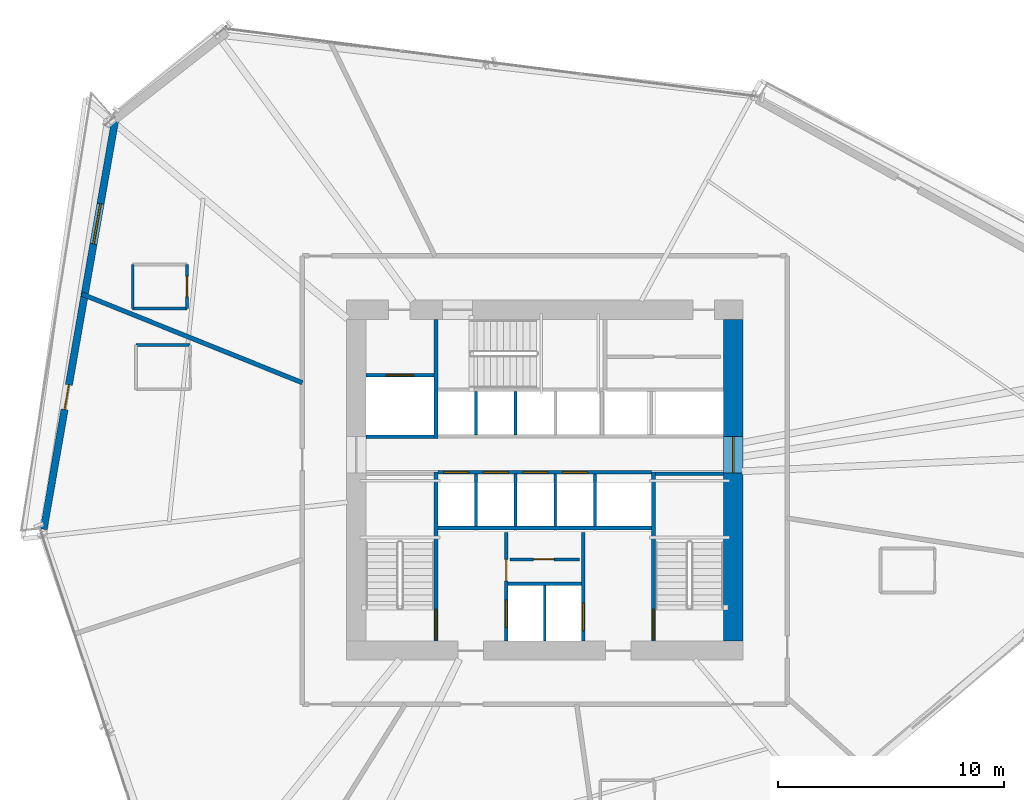
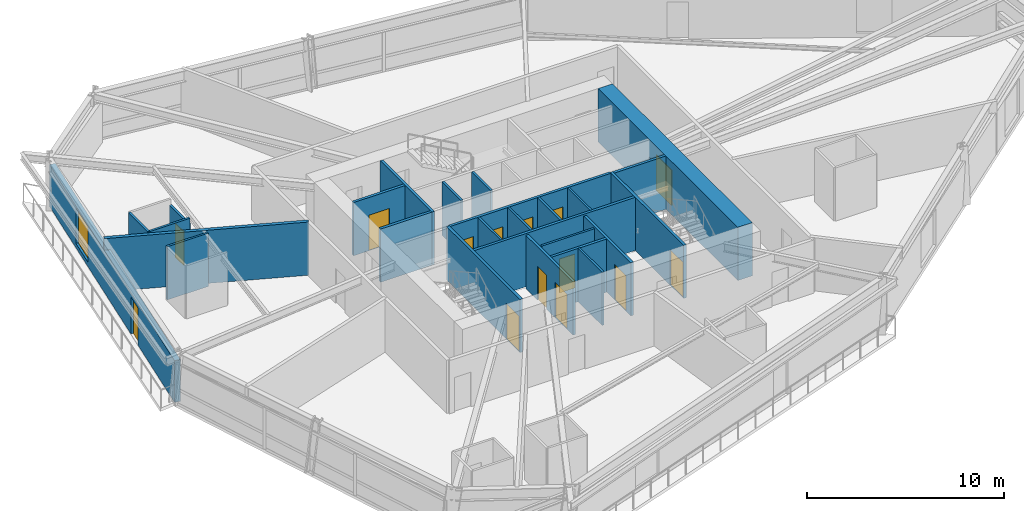
# One storey, part 16 of 22: 26 walls, 14 doors, 1 window, 15 openings.
"""IFC4 building model written with IfcOpenShell, lengths in metres."""

from ifc_helpers import new_model, si_unit, direction, frame, frame_2d, origin, place, context, subcontext, project, spatial, rectangle, extrude, source, transform, mapped, material, layer, layer_set, type_object, type_shapes, element, fill, save


model = new_model("IFC4")

# Units and contexts
model_context = context("Model", 3, precision=1e-05, world=origin(), true_north=direction((0.0, 1.0)))
body_context = subcontext(model_context, "Body", "Model", "MODEL_VIEW")
ifc_project = project(units=[si_unit("LENGTHUNIT", "METRE"), si_unit("AREAUNIT", "SQUARE_METRE"), si_unit("VOLUMEUNIT", "CUBIC_METRE"), si_unit("PLANEANGLEUNIT", "RADIAN"), si_unit("MASSUNIT", "GRAM", prefix="KILO")], contexts=[model_context])

# Site, building, storey
site_placement = place(None, origin())
site = spatial("IfcSite", under=ifc_project, at=site_placement, CompositionType="ELEMENT")
building_placement = place(site_placement, origin())
building = spatial("IfcBuilding", under=site, at=building_placement, Name="Olszyna Solenne Hotel", CompositionType="ELEMENT")
storey_placement = place(building_placement, frame((0.0, 0.0, 57.699951171875)))
storey = spatial("IfcBuildingStorey", under=building, at=storey_placement, Name="L14", CompositionType="ELEMENT", Elevation=57.699951171875)

# Wall, opening, door
ifc_material_1 = material(Name="Concrete C60/75", Category="concrete")
ifc_layer_1 = layer(ifc_material_1, 0.85009765625, Name="Concrete C60/75")
ifc_layer_set_1 = layer_set([ifc_layer_1], Name="Concrete C60/75")
wall_type_1 = type_object("IfcWallType", Name="WL-CR850", PredefinedType="SHEAR", material=ifc_layer_set_1)
wall_1_placement = place(storey_placement, frame((46.324951171875, 33.699951171875, 0.0), z_axis=(0.0, 0.0, 1.0), x_axis=(0.0, -1.0, 0.0)))
wall_1 = element("IfcWall", 1, at=wall_1_placement, inside=storey, type_object=wall_type_1, Name="Core shear wall WL-CR850 CRW-L14-E", PredefinedType="SHEAR", context=body_context, shape_type="SweptSolid", body=[
    extrude(rectangle(XDim=14.199951171875, YDim=0.85009765625, at=frame_2d((7.10009765625, 0.0))), origin(), (0.0, 0.0, 1.0), 3.300048828125),
])
opening_1_placement = place(wall_1_placement, frame((5.179931640625, 0.0, 0.0)))
opening_1 = element("IfcOpeningElement", 2, at=opening_1_placement, cuts=wall_1, Name="Opening LHD-L14-E", PredefinedType="OPENING", context=body_context, shape_type="SweptSolid", body=[
    extrude(rectangle(XDim=1.60009765625, YDim=2.199951171875, at=frame_2d((0.800048828125, 1.10009765625))), frame((0.0, 0.43505859375, 0.0), z_axis=(0.0, -1.0, 0.0), x_axis=(1.0, 0.0, 0.0)), (0.0, 0.0, 1.0), 0.8701171875),
])
ifc_material_2 = material(Name="Timber hardwood", Category="wood")
door_type_1 = type_object("IfcDoorType", Name="DR-CR1", OperationType="DOUBLE_DOOR_SINGLE_SWING", PredefinedType="DOOR", material=ifc_material_2)
shared_shape_1 = source(origin(), body_context, "Body", "SweptSolid", [
    extrude(rectangle(XDim=1.60009765625, YDim=2.199951171875, at=frame_2d((0.800048828125, 1.10009765625))), frame((0.0, 0.02490234375, 0.0), z_axis=(0.0, -1.0, 0.0), x_axis=(1.0, 0.0, 0.0)), (0.0, 0.0, 1.0), 0.050048828125),
])
type_shapes(door_type_1, [shared_shape_1])
door_1_placement = place(opening_1_placement, origin())
door_1 = element("IfcDoor", 3, at=door_1_placement, inside=storey, type_object=door_type_1, Name="Passenger lift lobby East fire door LHD-L14-E", OperationType="DOUBLE_DOOR_SINGLE_SWING", OverallHeight=2.199951171875, OverallWidth=1.60009765625, PredefinedType="DOOR", context=body_context, shape_type="MappedRepresentation", body=[
    mapped(shared_shape_1, transform((0.0, 0.0, 0.0), x_axis=(1.0, 0.0, 0.0), y_axis=(0.0, 1.0, 0.0), z_axis=(0.0, 0.0, 1.0), scale=1.0)),
])
fill(opening_1, door_1)

# Wall, openings, door, window
ifc_material_3 = material(Name="Precast concrete C45/55", Category="concrete")
ifc_layer_2 = layer(ifc_material_3, 0.320068359375, Name="Precast concrete C45/55")
ifc_layer_set_2 = layer_set([ifc_layer_2], Name="Precast concrete C45/55")
wall_type_2 = type_object("IfcWallType", Name="WL-EX320", PredefinedType="SOLIDWALL", material=ifc_layer_set_2)
wall_2_placement = place(storey_placement, frame((15.875, 24.432373046875, 0.0), z_axis=(0.0, 0.0, 1.0), x_axis=(0.172204905353, 0.985061150677, 0.0)))
wall_2 = element("IfcWall", 4, at=wall_2_placement, inside=storey, type_object=wall_type_2, Name="Exterior terracotta-precast frame wall WL-EX320 EW-L14-04", PredefinedType="SOLIDWALL", context=body_context, shape_type="SweptSolid", body=[
    extrude(rectangle(XDim=18.5, YDim=0.320068359375, at=frame_2d((9.25, 0.0))), origin(), (0.0, 0.0, 1.0), 2.592041015625),
])
opening_2_placement = place(wall_2_placement, frame((5.3701171875, 0.0, 0.0)))
opening_2 = element("IfcOpeningElement", 5, at=opening_2_placement, cuts=wall_2, Name="Opening LDG-L14-2", PredefinedType="OPENING", context=body_context, shape_type="SweptSolid", body=[
    extrude(rectangle(XDim=1.10009765625, YDim=2.300048828125, at=frame_2d((0.550048828125, 1.14990234375))), frame((0.0, 0.169921875, 0.0), z_axis=(0.0, -1.0, 0.0), x_axis=(1.0, 0.0, 0.0)), (0.0, 0.0, 1.0), 0.340087890625),
])
opening_3_placement = place(wall_2_placement, frame((12.7900390625, 0.0, 0.27197265625)))
opening_3 = element("IfcOpeningElement", 6, at=opening_3_placement, cuts=wall_2, Name="Opening WN-L14-063", PredefinedType="OPENING", context=body_context, shape_type="SweptSolid", body=[
    extrude(rectangle(XDim=1.800048828125, YDim=2.199951171875, at=frame_2d((0.89990234375, 1.10009765625))), frame((0.0, 0.169921875, 0.0), z_axis=(0.0, -1.0, 0.0), x_axis=(1.0, 0.0, 0.0)), (0.0, 0.0, 1.0), 0.340087890625),
])
ifc_material_4 = material(Name="Anodised bronze aluminium", Category="aluminium")
door_type_2 = type_object("IfcDoorType", Name="DR-LG1", OperationType="NOTDEFINED", PredefinedType="DOOR", material=ifc_material_4)
shared_shape_2 = source(origin(), body_context, "Body", "SweptSolid", [
    extrude(rectangle(XDim=1.10009765625, YDim=2.300048828125, at=frame_2d((0.550048828125, 1.14990234375))), frame((0.0, 0.02490234375, 0.0), z_axis=(0.0, -1.0, 0.0), x_axis=(1.0, 0.0, 0.0)), (0.0, 0.0, 1.0), 0.050048828125),
])
type_shapes(door_type_2, [shared_shape_2])
door_2_placement = place(opening_2_placement, origin())
door_2 = element("IfcDoor", 7, at=door_2_placement, inside=storey, type_object=door_type_2, Name="Exterior loggia balcony door DR-LG1 LDG-L14-2", OperationType="SINGLE_SWING_LEFT", OverallHeight=2.300048828125, OverallWidth=1.10009765625, PredefinedType="DOOR", context=body_context, shape_type="MappedRepresentation", body=[
    mapped(shared_shape_2, transform((0.0, 0.0, 0.0), x_axis=(1.0, 0.0, 0.0), y_axis=(0.0, 1.0, 0.0), z_axis=(0.0, 0.0, 1.0), scale=1.0)),
])
fill(opening_2, door_2)
ifc_material_5 = material(Name="Low-E triple glazing", Category="glass")
window_type = type_object("IfcWindowType", Name="WN-HT1", PartitioningType="SINGLE_PANEL", PredefinedType="WINDOW", material=ifc_material_5)
shared_shape_3 = source(origin(), body_context, "Body", "SweptSolid", [
    extrude(rectangle(XDim=1.800048828125, YDim=2.199951171875, at=frame_2d((0.89990234375, 1.10009765625))), frame((0.0, 0.030029296875, 0.0), z_axis=(0.0, -1.0, 0.0), x_axis=(1.0, 0.0, 0.0)), (0.0, 0.0, 1.0), 0.06005859375),
])
type_shapes(window_type, [shared_shape_3])
window_placement = place(opening_3_placement, origin())
window = element("IfcWindow", 8, at=window_placement, inside=storey, type_object=window_type, Name="Loggia room window WN-HT1 WN-L14-063", OverallHeight=2.199951171875, OverallWidth=1.800048828125, PartitioningType="SINGLE_PANEL", PredefinedType="WINDOW", context=body_context, shape_type="MappedRepresentation", body=[
    mapped(shared_shape_3, transform((0.0, 0.0, 0.0), x_axis=(1.0, 0.0, 0.0), y_axis=(0.0, 1.0, 0.0), z_axis=(0.0, 0.0, 1.0), scale=1.0)),
])
fill(opening_3, window)

# Wall
ifc_material_6 = material(Name="Acoustic gypsum partition", Category="gypsum")
ifc_layer_3 = layer(ifc_material_6, 0.125, Name="Acoustic gypsum partition")
ifc_layer_set_3 = layer_set([ifc_layer_3], Name="Acoustic gypsum partition")
wall_type_3 = type_object("IfcWallType", Name="WL-PT125", PredefinedType="PARTITIONING", material=ifc_layer_set_3)
wall_3_placement = place(storey_placement, frame((38.0, 19.5, 0.0), z_axis=(0.0, 0.0, 1.0), x_axis=(0.0, 1.0, 0.0)))
element("IfcWall", 9, at=wall_3_placement, inside=storey, type_object=wall_type_3, Name="Core shaft compartment wall CW-L14-FFM", PredefinedType="PARTITIONING", context=body_context, shape_type="SweptSolid", body=[
    extrude(rectangle(XDim=2.4599609375, YDim=0.125, at=frame_2d((1.22998046875, 0.0))), origin(), (0.0, 0.0, 1.0), 3.300048828125),
])

# Wall, opening, door
wall_4_placement = place(storey_placement, frame((36.4599609375, 23.10205078125, 0.0), z_axis=(0.0, 0.0, 1.0), x_axis=(1.0, 0.0, 0.0)))
wall_4 = element("IfcWall", 10, at=wall_4_placement, inside=storey, type_object=wall_type_3, Name="Core shaft compartment wall CW-L14-SC2", PredefinedType="PARTITIONING", context=body_context, shape_type="SweptSolid", body=[
    extrude(rectangle(XDim=3.080078125, YDim=0.125, at=frame_2d((1.5400390625, 0.0))), origin(), (0.0, 0.0, 1.0), 3.300048828125),
])
opening_4_placement = place(wall_4_placement, frame((1.050048828125, 0.0, 0.0)))
opening_4 = element("IfcOpeningElement", 11, at=opening_4_placement, cuts=wall_4, Name="Opening SVD-L14-SC2", PredefinedType="OPENING", context=body_context, shape_type="SweptSolid", body=[
    extrude(rectangle(XDim=0.89990234375, YDim=2.10009765625, at=frame_2d((0.449951171875, 1.050048828125))), frame((0.0, 0.072509765625, 0.0), z_axis=(0.0, -1.0, 0.0), x_axis=(1.0, 0.0, 0.0)), (0.0, 0.0, 1.0), 0.14501953125),
])
door_type_3 = type_object("IfcDoorType", Name="DR-WC1", OperationType="NOTDEFINED", PredefinedType="DOOR", material=ifc_material_2)
shared_shape_4 = source(origin(), body_context, "Body", "SweptSolid", [
    extrude(rectangle(XDim=0.89990234375, YDim=2.10009765625, at=frame_2d((0.449951171875, 1.050048828125))), frame((0.0, 0.02490234375, 0.0), z_axis=(0.0, -1.0, 0.0), x_axis=(1.0, 0.0, 0.0)), (0.0, 0.0, 1.0), 0.050048828125),
])
type_shapes(door_type_3, [shared_shape_4])
door_3_placement = place(opening_4_placement, origin())
door_3 = element("IfcDoor", 12, at=door_3_placement, inside=storey, type_object=door_type_3, Name="Butler pantry door SVD-L14-SC2", OperationType="SINGLE_SWING_RIGHT", OverallHeight=2.10009765625, OverallWidth=0.89990234375, PredefinedType="DOOR", context=body_context, shape_type="MappedRepresentation", body=[
    mapped(shared_shape_4, transform((0.0, 0.0, 0.0), x_axis=(1.0, 0.0, 0.0), y_axis=(0.0, 1.0, 0.0), z_axis=(0.0, 0.0, 1.0), scale=1.0)),
])
fill(opening_4, door_3)

# Walls
for number, where, z_axis, x_axis, name in (
    (13, (34.965087890625, 24.56005859375, 0.0), (0.0, 0.0, 1.0), (0.0, 1.0, 0.0), "Core shaft compartment wall CW-L14-DIVS349"),
    (14, (36.715087890625, 24.56005859375, 0.0), (0.0, 0.0, 1.0), (0.0, 1.0, 0.0), "Core shaft compartment wall CW-L14-DIVS367"),
    (15, (38.465087890625, 24.56005859375, 0.0), (0.0, 0.0, 1.0), (0.0, 1.0, 0.0), "Core shaft compartment wall CW-L14-DIVS384"),
    (16, (40.215087890625, 24.56005859375, 0.0), (0.0, 0.0, 1.0), (0.0, 1.0, 0.0), "Core shaft compartment wall CW-L14-DIVS402"),
):
    element("IfcWall", number, at=place(storey_placement, frame(where, z_axis=z_axis, x_axis=x_axis)), inside=storey, type_object=wall_type_3, Name=name, PredefinedType="PARTITIONING", context=body_context, shape_type="SweptSolid", body=[
        extrude(rectangle(XDim=2.31005859375, YDim=0.125, at=frame_2d((1.155029296875, 0.0))), origin(), (0.0, 0.0, 1.0), 3.300048828125),
    ])
for number, where, z_axis, x_axis, name in (
    (17, (34.965087890625, 28.60009765625, 0.0), (0.0, 0.0, 1.0), (0.0, 1.0, 0.0), "Core shaft compartment wall CW-L14-DIVN349"),
    (18, (36.715087890625, 28.60009765625, 0.0), (0.0, 0.0, 1.0), (0.0, 1.0, 0.0), "Core shaft compartment wall CW-L14-DIVN367"),
):
    element("IfcWall", number, at=place(storey_placement, frame(where, z_axis=z_axis, x_axis=x_axis)), inside=storey, type_object=wall_type_3, Name=name, PredefinedType="PARTITIONING", context=body_context, shape_type="SweptSolid", body=[
        extrude(rectangle(XDim=1.919921875, YDim=0.125, at=frame_2d((0.9599609375, 0.0))), origin(), (0.0, 0.0, 1.0), 3.300048828125),
    ])

# Wall, opening, door
wall_5_placement = place(storey_placement, frame((22.2060546875, 34.176025390625, 0.0), z_axis=(0.0, 0.0, 1.0), x_axis=(0.0, 1.0, 0.0)))
wall_5 = element("IfcWall", 19, at=wall_5_placement, inside=storey, type_object=wall_type_3, Name="Interior acoustic partition WL-PT125 PW-L14-0779", PredefinedType="PARTITIONING", context=body_context, shape_type="SweptSolid", body=[
    extrude(rectangle(XDim=1.949951171875, YDim=0.125, at=frame_2d((0.97509765625, 0.0))), origin(), (0.0, 0.0, 1.0), 2.925048828125),
])
opening_5_placement = place(wall_5_placement, frame((0.52490234375, 0.0, 0.0)))
opening_5 = element("IfcOpeningElement", 20, at=opening_5_placement, cuts=wall_5, Name="Opening DR-L14-0171", PredefinedType="OPENING", context=body_context, shape_type="SweptSolid", body=[
    extrude(rectangle(XDim=0.89990234375, YDim=2.10009765625, at=frame_2d((0.449951171875, 1.050048828125))), frame((0.0, 0.072509765625, 0.0), z_axis=(0.0, -1.0, 0.0), x_axis=(1.0, 0.0, 0.0)), (0.0, 0.0, 1.0), 0.14501953125),
])
door_4_placement = place(opening_5_placement, origin())
door_4 = element("IfcDoor", 21, at=door_4_placement, inside=storey, type_object=door_type_3, Name="En-Suite Bathroom Door DR-L14-0171", OperationType="SINGLE_SWING_LEFT", OverallHeight=2.10009765625, OverallWidth=0.89990234375, PredefinedType="DOOR", context=body_context, shape_type="MappedRepresentation", body=[
    mapped(shared_shape_4, transform((0.0, 0.0, 0.0), x_axis=(1.0, 0.0, 0.0), y_axis=(0.0, 1.0, 0.0), z_axis=(0.0, 0.0, 1.0), scale=1.0)),
])
fill(opening_5, door_4)

# Walls
wall_6_placement = place(storey_placement, frame((19.805908203125, 36.1259765625, 0.0), z_axis=(0.0, 0.0, 1.0), x_axis=(0.0, -1.0, 0.0)))
element("IfcWall", 22, at=wall_6_placement, inside=storey, type_object=wall_type_3, Name="Interior acoustic partition WL-PT125 PW-L14-0781", PredefinedType="PARTITIONING", context=body_context, shape_type="SweptSolid", body=[
    extrude(rectangle(XDim=1.949951171875, YDim=0.125, at=frame_2d((0.97509765625, 0.0))), origin(), (0.0, 0.0, 1.0), 3.300048828125),
])
wall_7_placement = place(storey_placement, frame((19.805908203125, 34.176025390625, 0.0), z_axis=(0.0, 0.0, 1.0), x_axis=(1.0, 0.0, 0.0)))
element("IfcWall", 23, at=wall_7_placement, inside=storey, type_object=wall_type_3, Name="Interior acoustic partition WL-PT125 PW-L14-0782", PredefinedType="PARTITIONING", context=body_context, shape_type="SweptSolid", body=[
    extrude(rectangle(XDim=2.400146484375, YDim=0.125, at=frame_2d((1.2001953125, 0.0))), origin(), (0.0, 0.0, 1.0), 3.300048828125),
])
wall_8_placement = place(storey_placement, frame((22.346923828125, 32.56396484375, 0.0), z_axis=(0.0, 0.0, 1.0), x_axis=(-1.0, 0.0, 0.0)))
element("IfcWall", 24, at=wall_8_placement, inside=storey, type_object=wall_type_3, Name="Interior acoustic partition WL-PT125 PW-L14-0784", PredefinedType="PARTITIONING", context=body_context, shape_type="SweptSolid", body=[
    extrude(rectangle(XDim=2.39990234375, YDim=0.125, at=frame_2d((1.199951171875, 0.0))), origin(), (0.0, 0.0, 1.0), 3.300048828125),
])

# Wall, opening, door
ifc_layer_4 = layer(ifc_material_6, 0.159912109375, Name="Acoustic gypsum partition")
ifc_layer_set_4 = layer_set([ifc_layer_4], Name="Acoustic gypsum partition")
wall_type_4 = type_object("IfcWallType", Name="WL-PT160", PredefinedType="PARTITIONING", material=ifc_layer_set_4)
wall_9_placement = place(storey_placement, frame((33.199951171875, 19.5, 0.0), z_axis=(0.0, 0.0, 1.0), x_axis=(0.0, 1.0, 0.0)))
wall_9 = element("IfcWall", 25, at=wall_9_placement, inside=storey, type_object=wall_type_4, Name="Core shaft compartment wall CW-L14-ST1E", PredefinedType="PARTITIONING", context=body_context, shape_type="SweptSolid", body=[
    extrude(rectangle(XDim=7.4599609375, YDim=0.159912109375, at=frame_2d((3.72998046875, 0.0))), origin(), (0.0, 0.0, 1.0), 3.300048828125),
])
opening_6_placement = place(wall_9_placement, frame((0.080078125, 0.0, 0.0)))
opening_6 = element("IfcOpeningElement", 26, at=opening_6_placement, cuts=wall_9, Name="Opening STD-L14-01", PredefinedType="OPENING", context=body_context, shape_type="SweptSolid", body=[
    extrude(rectangle(XDim=1.320068359375, YDim=2.199951171875, at=frame_2d((0.66015625, 1.10009765625))), frame((0.0, 0.08984375, 0.0), z_axis=(0.0, -1.0, 0.0), x_axis=(1.0, 0.0, 0.0)), (0.0, 0.0, 1.0), 0.179931640625),
])
ifc_material_7 = material(Name="Steel S355J2", Category="steel")
door_type_4 = type_object("IfcDoorType", Name="DR-ST1", OperationType="NOTDEFINED", PredefinedType="DOOR", material=ifc_material_7)
shared_shape_5 = source(origin(), body_context, "Body", "SweptSolid", [
    extrude(rectangle(XDim=1.320068359375, YDim=2.199951171875, at=frame_2d((0.66015625, 1.10009765625))), frame((0.0, 0.02490234375, 0.0), z_axis=(0.0, -1.0, 0.0), x_axis=(1.0, 0.0, 0.0)), (0.0, 0.0, 1.0), 0.050048828125),
])
type_shapes(door_type_4, [shared_shape_5])
door_5_placement = place(opening_6_placement, origin())
door_5 = element("IfcDoor", 27, at=door_5_placement, inside=storey, type_object=door_type_4, Name="Pressurised exit stair ST1 fire door STD-L14-01", OperationType="SINGLE_SWING_LEFT", OverallHeight=2.199951171875, OverallWidth=1.320068359375, PredefinedType="DOOR", context=body_context, shape_type="MappedRepresentation", body=[
    mapped(shared_shape_5, transform((0.0, 0.0, 0.0), x_axis=(1.0, 0.0, 0.0), y_axis=(0.0, 1.0, 0.0), z_axis=(0.0, 0.0, 1.0), scale=1.0)),
])
fill(opening_6, door_5)

wall_10_placement = place(storey_placement, frame((42.800048828125, 26.9599609375, 0.0), z_axis=(0.0, 0.0, 1.0), x_axis=(0.0, -1.0, 0.0)))
wall_10 = element("IfcWall", 28, at=wall_10_placement, inside=storey, type_object=wall_type_4, Name="Core shaft compartment wall CW-L14-ST2W", PredefinedType="PARTITIONING", context=body_context, shape_type="SweptSolid", body=[
    extrude(rectangle(XDim=7.4599609375, YDim=0.159912109375, at=frame_2d((3.72998046875, 0.0))), origin(), (0.0, 0.0, 1.0), 3.300048828125),
])
opening_7_placement = place(wall_10_placement, frame((6.06005859375, 0.0, 0.0)))
opening_7 = element("IfcOpeningElement", 29, at=opening_7_placement, cuts=wall_10, Name="Opening STD-L14-02", PredefinedType="OPENING", context=body_context, shape_type="SweptSolid", body=[
    extrude(rectangle(XDim=1.320068359375, YDim=2.199951171875, at=frame_2d((0.66015625, 1.10009765625))), frame((0.0, 0.08984375, 0.0), z_axis=(0.0, -1.0, 0.0), x_axis=(1.0, 0.0, 0.0)), (0.0, 0.0, 1.0), 0.179931640625),
])
door_6_placement = place(opening_7_placement, origin())
door_6 = element("IfcDoor", 30, at=door_6_placement, inside=storey, type_object=door_type_4, Name="Pressurised exit stair ST2 fire door STD-L14-02", OperationType="SINGLE_SWING_RIGHT", OverallHeight=2.199951171875, OverallWidth=1.320068359375, PredefinedType="DOOR", context=body_context, shape_type="MappedRepresentation", body=[
    mapped(shared_shape_5, transform((0.0, 0.0, 0.0), x_axis=(1.0, 0.0, 0.0), y_axis=(0.0, 1.0, 0.0), z_axis=(0.0, 0.0, 1.0), scale=1.0)),
])
fill(opening_7, door_6)

# Wall
wall_11_placement = place(storey_placement, frame((42.8798828125, 26.8798828125, 0.0), z_axis=(0.0, 0.0, 1.0), x_axis=(1.0, 0.0, 0.0)))
element("IfcWall", 31, at=wall_11_placement, inside=storey, type_object=wall_type_4, Name="Core shaft compartment wall CW-L14-ST2N", PredefinedType="PARTITIONING", context=body_context, shape_type="SweptSolid", body=[
    extrude(rectangle(XDim=3.02001953125, YDim=0.159912109375, at=frame_2d((1.510009765625, 0.0))), origin(), (0.0, 0.0, 1.0), 3.300048828125),
])

# Wall, openings, doors
wall_12_placement = place(storey_placement, frame((36.300048828125, 19.5, 0.0), z_axis=(0.0, 0.0, 1.0), x_axis=(0.0, 1.0, 0.0)))
wall_12 = element("IfcWall", 32, at=wall_12_placement, inside=storey, type_object=wall_type_4, Name="Core shaft compartment wall CW-L14-FF1W", PredefinedType="PARTITIONING", context=body_context, shape_type="SweptSolid", body=[
    extrude(rectangle(XDim=4.780029296875, YDim=0.159912109375, at=frame_2d((2.39013671875, 0.0))), origin(), (0.0, 0.0, 1.0), 3.300048828125),
])
opening_8_placement = place(wall_12_placement, frame((0.60009765625, 0.0, 0.0)))
opening_8 = element("IfcOpeningElement", 33, at=opening_8_placement, cuts=wall_12, Name="Opening LD-L14-FF1", PredefinedType="OPENING", context=body_context, shape_type="SweptSolid", body=[
    extrude(rectangle(XDim=1.199951171875, YDim=2.199951171875, at=frame_2d((0.60009765625, 1.10009765625))), frame((0.0, 0.08984375, 0.0), z_axis=(0.0, -1.0, 0.0), x_axis=(1.0, 0.0, 0.0)), (0.0, 0.0, 1.0), 0.179931640625),
])
opening_9_placement = place(wall_12_placement, frame((2.64990234375, 0.0, 0.0)))
opening_9 = element("IfcOpeningElement", 34, at=opening_9_placement, cuts=wall_12, Name="Opening SVD-L14-SMK", PredefinedType="OPENING", context=body_context, shape_type="SweptSolid", body=[
    extrude(rectangle(XDim=0.949951171875, YDim=2.10009765625, at=frame_2d((0.47509765625, 1.050048828125))), frame((0.0, 0.08984375, 0.0), z_axis=(0.0, -1.0, 0.0), x_axis=(1.0, 0.0, 0.0)), (0.0, 0.0, 1.0), 0.179931640625),
])
door_type_5 = type_object("IfcDoorType", Name="DR-SV1", OperationType="NOTDEFINED", PredefinedType="DOOR", material=ifc_material_7)
shared_shape_6 = source(origin(), body_context, "Body", "SweptSolid", [
    extrude(rectangle(XDim=0.949951171875, YDim=2.10009765625, at=frame_2d((0.47509765625, 1.050048828125))), frame((0.0, 0.02490234375, 0.0), z_axis=(0.0, -1.0, 0.0), x_axis=(1.0, 0.0, 0.0)), (0.0, 0.0, 1.0), 0.050048828125),
])
type_shapes(door_type_5, [shared_shape_6])
door_7_placement = place(opening_9_placement, origin())
door_7 = element("IfcDoor", 35, at=door_7_placement, inside=storey, type_object=door_type_5, Name="Valet and core service room door SVD-L14-SMK", OperationType="SINGLE_SWING_LEFT", OverallHeight=2.10009765625, OverallWidth=0.949951171875, PredefinedType="DOOR", context=body_context, shape_type="MappedRepresentation", body=[
    mapped(shared_shape_6, transform((0.0, 0.0, 0.0), x_axis=(1.0, 0.0, 0.0), y_axis=(0.0, 1.0, 0.0), z_axis=(0.0, 0.0, 1.0), scale=1.0)),
])
fill(opening_9, door_7)
door_type_6 = type_object("IfcDoorType", Name="LD-FF1", OperationType="DOUBLE_DOOR_SLIDING", PredefinedType="DOOR", material=ifc_material_7)
shared_shape_7 = source(origin(), body_context, "Body", "SweptSolid", [
    extrude(rectangle(XDim=1.199951171875, YDim=2.199951171875, at=frame_2d((0.60009765625, 1.10009765625))), frame((0.0, 0.02490234375, 0.0), z_axis=(0.0, -1.0, 0.0), x_axis=(1.0, 0.0, 0.0)), (0.0, 0.0, 1.0), 0.050048828125),
])
type_shapes(door_type_6, [shared_shape_7])
door_8_placement = place(opening_8_placement, origin())
door_8 = element("IfcDoor", 36, at=door_8_placement, inside=storey, type_object=door_type_6, Name="Firefighters lift FF1 sliding landing door LD-L14-FF1", OperationType="DOUBLE_DOOR_SLIDING", OverallHeight=2.199951171875, OverallWidth=1.199951171875, PredefinedType="DOOR", context=body_context, shape_type="MappedRepresentation", body=[
    mapped(shared_shape_7, transform((0.0, 0.0, 0.0), x_axis=(1.0, 0.0, 0.0), y_axis=(0.0, 1.0, 0.0), z_axis=(0.0, 0.0, 1.0), scale=1.0)),
])
fill(opening_8, door_8)

# Wall, opening, door
wall_13_placement = place(storey_placement, frame((39.699951171875, 24.280029296875, 0.0), z_axis=(0.0, 0.0, 1.0), x_axis=(0.0, -1.0, 0.0)))
wall_13 = element("IfcWall", 37, at=wall_13_placement, inside=storey, type_object=wall_type_4, Name="Core shaft compartment wall CW-L14-FF2E", PredefinedType="PARTITIONING", context=body_context, shape_type="SweptSolid", body=[
    extrude(rectangle(XDim=4.780029296875, YDim=0.159912109375, at=frame_2d((2.39013671875, 0.0))), origin(), (0.0, 0.0, 1.0), 3.300048828125),
])
opening_10_placement = place(wall_13_placement, frame((3.1201171875, 0.0, 0.0)))
opening_10 = element("IfcOpeningElement", 38, at=opening_10_placement, cuts=wall_13, Name="Opening LD-L14-FF2", PredefinedType="OPENING", context=body_context, shape_type="SweptSolid", body=[
    extrude(rectangle(XDim=1.199951171875, YDim=2.199951171875, at=frame_2d((0.60009765625, 1.10009765625))), frame((0.0, 0.08984375, 0.0), z_axis=(0.0, -1.0, 0.0), x_axis=(1.0, 0.0, 0.0)), (0.0, 0.0, 1.0), 0.179931640625),
])
door_9_placement = place(opening_10_placement, origin())
door_9 = element("IfcDoor", 39, at=door_9_placement, inside=storey, type_object=door_type_6, Name="Firefighters lift FF2 sliding landing door LD-L14-FF2", OperationType="DOUBLE_DOOR_SLIDING", OverallHeight=2.199951171875, OverallWidth=1.199951171875, PredefinedType="DOOR", context=body_context, shape_type="MappedRepresentation", body=[
    mapped(shared_shape_7, transform((0.0, 0.0, 0.0), x_axis=(1.0, 0.0, 0.0), y_axis=(0.0, 1.0, 0.0), z_axis=(0.0, 0.0, 1.0), scale=1.0)),
])
fill(opening_10, door_9)

# Walls
wall_14_placement = place(storey_placement, frame((36.3798828125, 22.02001953125, 0.0), z_axis=(0.0, 0.0, 1.0), x_axis=(1.0, 0.0, 0.0)))
element("IfcWall", 40, at=wall_14_placement, inside=storey, type_object=wall_type_4, Name="Core shaft compartment wall CW-L14-FFN", PredefinedType="PARTITIONING", context=body_context, shape_type="SweptSolid", body=[
    extrude(rectangle(XDim=3.240234375, YDim=0.159912109375, at=frame_2d((1.6201171875, 0.0))), origin(), (0.0, 0.0, 1.0), 3.300048828125),
])
wall_15_placement = place(storey_placement, frame((33.280029296875, 24.489990234375, 0.0), z_axis=(0.0, 0.0, 1.0), x_axis=(1.0, 0.0, 0.0)))
element("IfcWall", 41, at=wall_15_placement, inside=storey, type_object=wall_type_4, Name="Core shaft compartment wall CW-L14-FFBN", PredefinedType="PARTITIONING", context=body_context, shape_type="SweptSolid", body=[
    extrude(rectangle(XDim=9.43994140625, YDim=0.159912109375, at=frame_2d((4.719970703125, 0.0))), origin(), (0.0, 0.0, 1.0), 3.300048828125),
])
wall_16_placement = place(storey_placement, frame((30.10009765625, 28.52001953125, 0.0), z_axis=(0.0, 0.0, 1.0), x_axis=(1.0, 0.0, 0.0)))
element("IfcWall", 42, at=wall_16_placement, inside=storey, type_object=wall_type_4, Name="Core shaft compartment wall CW-L14-SV1S", PredefinedType="PARTITIONING", context=body_context, shape_type="SweptSolid", body=[
    extrude(rectangle(XDim=3.02001953125, YDim=0.159912109375, at=frame_2d((1.510009765625, 0.0))), origin(), (0.0, 0.0, 1.0), 3.300048828125),
])
wall_17_placement = place(storey_placement, frame((33.199951171875, 28.43994140625, 0.0), z_axis=(0.0, 0.0, 1.0), x_axis=(0.0, 1.0, 0.0)))
element("IfcWall", 43, at=wall_17_placement, inside=storey, type_object=wall_type_4, Name="Core shaft compartment wall CW-L14-SV1E", PredefinedType="PARTITIONING", context=body_context, shape_type="SweptSolid", body=[
    extrude(rectangle(XDim=5.260009765625, YDim=0.159912109375, at=frame_2d((2.6298828125, 0.0))), origin(), (0.0, 0.0, 1.0), 3.300048828125),
])

# Wall, opening, door
wall_18_placement = place(storey_placement, frame((30.10009765625, 31.239990234375, 0.0), z_axis=(0.0, 0.0, 1.0), x_axis=(1.0, 0.0, 0.0)))
wall_18 = element("IfcWall", 44, at=wall_18_placement, inside=storey, type_object=wall_type_4, Name="Core shaft compartment wall CW-L14-SV1N", PredefinedType="PARTITIONING", context=body_context, shape_type="SweptSolid", body=[
    extrude(rectangle(XDim=3.02001953125, YDim=0.159912109375, at=frame_2d((1.510009765625, 0.0))), origin(), (0.0, 0.0, 1.0), 3.300048828125),
])
opening_11_placement = place(wall_18_placement, frame((0.909912109375, 0.0, 0.0)))
opening_11 = element("IfcOpeningElement", 45, at=opening_11_placement, cuts=wall_18, Name="Opening LD-L14-SV1", PredefinedType="OPENING", context=body_context, shape_type="SweptSolid", body=[
    extrude(rectangle(XDim=1.199951171875, YDim=2.199951171875, at=frame_2d((0.60009765625, 1.10009765625))), frame((0.0, 0.08984375, 0.0), z_axis=(0.0, -1.0, 0.0), x_axis=(1.0, 0.0, 0.0)), (0.0, 0.0, 1.0), 0.179931640625),
])
door_10_placement = place(opening_11_placement, origin())
door_10 = element("IfcDoor", 46, at=door_10_placement, inside=storey, type_object=door_type_6, Name="Service lift SV1 sliding landing door LD-L14-SV1", OperationType="DOUBLE_DOOR_SLIDING", OverallHeight=2.199951171875, OverallWidth=1.199951171875, PredefinedType="DOOR", context=body_context, shape_type="MappedRepresentation", body=[
    mapped(shared_shape_7, transform((0.0, 0.0, 0.0), x_axis=(1.0, 0.0, 0.0), y_axis=(0.0, 1.0, 0.0), z_axis=(0.0, 0.0, 1.0), scale=1.0)),
])
fill(opening_11, door_10)

# Wall, openings, doors
wall_19_placement = place(storey_placement, frame((33.280029296875, 26.949951171875, 0.0), z_axis=(0.0, 0.0, 1.0), x_axis=(1.0, 0.0, 0.0)))
wall_19 = element("IfcWall", 47, at=wall_19_placement, inside=storey, type_object=wall_type_4, Name="Core shaft compartment wall CW-L14-LRS", PredefinedType="PARTITIONING", context=body_context, shape_type="SweptSolid", body=[
    extrude(rectangle(XDim=9.43994140625, YDim=0.159912109375, at=frame_2d((4.719970703125, 0.0))), origin(), (0.0, 0.0, 1.0), 3.300048828125),
])
opening_12_placement = place(wall_19_placement, frame((0.260009765625, 0.0, 0.0)))
opening_12 = element("IfcOpeningElement", 48, at=opening_12_placement, cuts=wall_19, Name="Opening LD-L14-PL1", PredefinedType="OPENING", context=body_context, shape_type="SweptSolid", body=[
    extrude(rectangle(XDim=1.10009765625, YDim=2.199951171875, at=frame_2d((0.550048828125, 1.10009765625))), frame((0.0, 0.08984375, 0.0), z_axis=(0.0, -1.0, 0.0), x_axis=(1.0, 0.0, 0.0)), (0.0, 0.0, 1.0), 0.179931640625),
])
opening_13_placement = place(wall_19_placement, frame((2.010009765625, 0.0, 0.0)))
opening_13 = element("IfcOpeningElement", 49, at=opening_13_placement, cuts=wall_19, Name="Opening LD-L14-PL2", PredefinedType="OPENING", context=body_context, shape_type="SweptSolid", body=[
    extrude(rectangle(XDim=1.10009765625, YDim=2.199951171875, at=frame_2d((0.550048828125, 1.10009765625))), frame((0.0, 0.08984375, 0.0), z_axis=(0.0, -1.0, 0.0), x_axis=(1.0, 0.0, 0.0)), (0.0, 0.0, 1.0), 0.179931640625),
])
opening_14_placement = place(wall_19_placement, frame((3.760009765625, 0.0, 0.0)))
opening_14 = element("IfcOpeningElement", 50, at=opening_14_placement, cuts=wall_19, Name="Opening LD-L14-PL3", PredefinedType="OPENING", context=body_context, shape_type="SweptSolid", body=[
    extrude(rectangle(XDim=1.10009765625, YDim=2.199951171875, at=frame_2d((0.550048828125, 1.10009765625))), frame((0.0, 0.08984375, 0.0), z_axis=(0.0, -1.0, 0.0), x_axis=(1.0, 0.0, 0.0)), (0.0, 0.0, 1.0), 0.179931640625),
])
opening_15_placement = place(wall_19_placement, frame((5.510009765625, 0.0, 0.0)))
opening_15 = element("IfcOpeningElement", 51, at=opening_15_placement, cuts=wall_19, Name="Opening LD-L14-PL4", PredefinedType="OPENING", context=body_context, shape_type="SweptSolid", body=[
    extrude(rectangle(XDim=1.10009765625, YDim=2.199951171875, at=frame_2d((0.550048828125, 1.10009765625))), frame((0.0, 0.08984375, 0.0), z_axis=(0.0, -1.0, 0.0), x_axis=(1.0, 0.0, 0.0)), (0.0, 0.0, 1.0), 0.179931640625),
])
door_type_7 = type_object("IfcDoorType", Name="LD-P1", OperationType="DOUBLE_DOOR_SLIDING", PredefinedType="DOOR", material=ifc_material_7)
shared_shape_8 = source(origin(), body_context, "Body", "SweptSolid", [
    extrude(rectangle(XDim=1.10009765625, YDim=2.199951171875, at=frame_2d((0.550048828125, 1.10009765625))), frame((0.0, 0.02490234375, 0.0), z_axis=(0.0, -1.0, 0.0), x_axis=(1.0, 0.0, 0.0)), (0.0, 0.0, 1.0), 0.050048828125),
])
type_shapes(door_type_7, [shared_shape_8])
door_11_placement = place(opening_12_placement, origin())
door_11 = element("IfcDoor", 52, at=door_11_placement, inside=storey, type_object=door_type_7, Name="Passenger lift PL1 sliding landing door LD-L14-PL1", OperationType="DOUBLE_DOOR_SLIDING", OverallHeight=2.199951171875, OverallWidth=1.10009765625, PredefinedType="DOOR", context=body_context, shape_type="MappedRepresentation", body=[
    mapped(shared_shape_8, transform((0.0, 0.0, 0.0), x_axis=(1.0, 0.0, 0.0), y_axis=(0.0, 1.0, 0.0), z_axis=(0.0, 0.0, 1.0), scale=1.0)),
])
fill(opening_12, door_11)
door_12_placement = place(opening_13_placement, origin())
door_12 = element("IfcDoor", 53, at=door_12_placement, inside=storey, type_object=door_type_7, Name="Passenger lift PL2 sliding landing door LD-L14-PL2", OperationType="DOUBLE_DOOR_SLIDING", OverallHeight=2.199951171875, OverallWidth=1.10009765625, PredefinedType="DOOR", context=body_context, shape_type="MappedRepresentation", body=[
    mapped(shared_shape_8, transform((0.0, 0.0, 0.0), x_axis=(1.0, 0.0, 0.0), y_axis=(0.0, 1.0, 0.0), z_axis=(0.0, 0.0, 1.0), scale=1.0)),
])
fill(opening_13, door_12)
door_13_placement = place(opening_14_placement, origin())
door_13 = element("IfcDoor", 54, at=door_13_placement, inside=storey, type_object=door_type_7, Name="Passenger lift PL3 sliding landing door LD-L14-PL3", OperationType="DOUBLE_DOOR_SLIDING", OverallHeight=2.199951171875, OverallWidth=1.10009765625, PredefinedType="DOOR", context=body_context, shape_type="MappedRepresentation", body=[
    mapped(shared_shape_8, transform((0.0, 0.0, 0.0), x_axis=(1.0, 0.0, 0.0), y_axis=(0.0, 1.0, 0.0), z_axis=(0.0, 0.0, 1.0), scale=1.0)),
])
fill(opening_14, door_13)
door_14_placement = place(opening_15_placement, origin())
door_14 = element("IfcDoor", 55, at=door_14_placement, inside=storey, type_object=door_type_7, Name="Passenger lift PL4 sliding landing door LD-L14-PL4", OperationType="DOUBLE_DOOR_SLIDING", OverallHeight=2.199951171875, OverallWidth=1.10009765625, PredefinedType="DOOR", context=body_context, shape_type="MappedRepresentation", body=[
    mapped(shared_shape_8, transform((0.0, 0.0, 0.0), x_axis=(1.0, 0.0, 0.0), y_axis=(0.0, 1.0, 0.0), z_axis=(0.0, 0.0, 1.0), scale=1.0)),
])
fill(opening_15, door_14)

# Wall
ifc_layer_5 = layer(ifc_material_6, 0.199951171875, Name="Acoustic gypsum partition")
ifc_layer_set_5 = layer_set([ifc_layer_5], Name="Acoustic gypsum partition")
wall_type_5 = type_object("IfcWallType", Name="WL-PT200", PredefinedType="PARTITIONING", material=ifc_layer_set_5)
wall_20_placement = place(storey_placement, frame((27.300048828125, 30.9013671875, 0.0), z_axis=(0.0, 0.0, 1.0), x_axis=(-0.927840286719, 0.372977750463, 0.0)))
element("IfcWall", 56, at=wall_20_placement, inside=storey, type_object=wall_type_5, Name="Interior acoustic partition WL-PT200 PW-L14-0774", PredefinedType="PARTITIONING", context=body_context, shape_type="SweptSolid", body=[
    extrude(rectangle(XDim=10.499267578125, YDim=0.199951171875, at=frame_2d((5.24951171875, 0.0))), origin(), (0.0, 0.0, 1.0), 3.300048828125),
])

save(model, "model.ifc")
